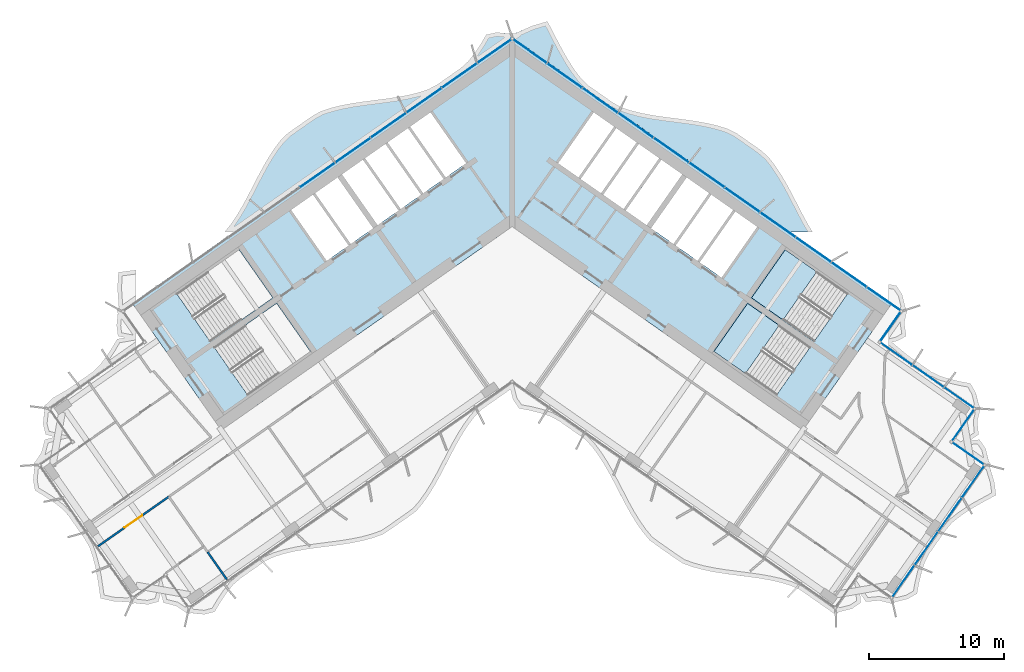
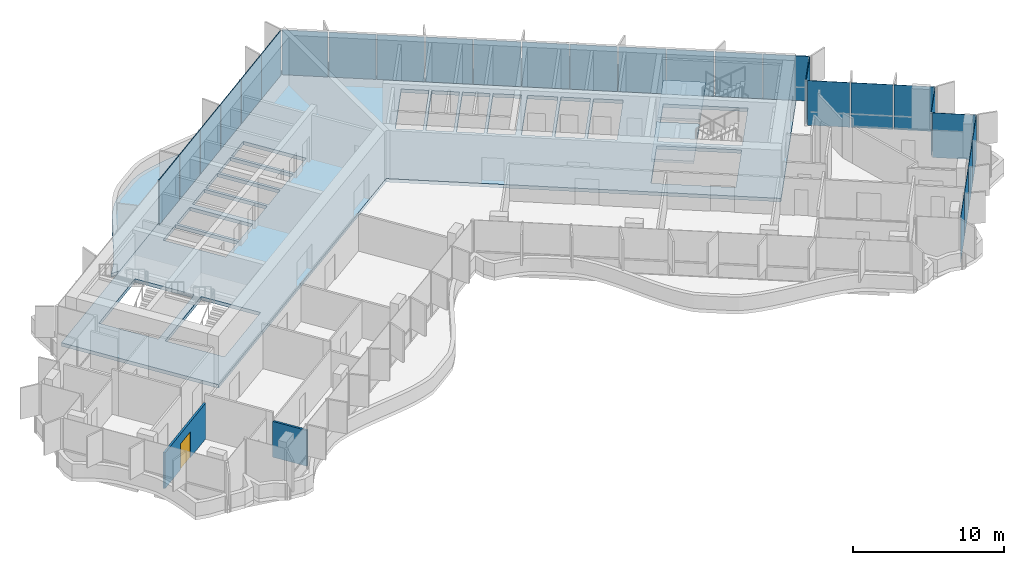
# One storey, part 11 of 21: 27 plates, 4 slabs, 2 walls, 1 door, 1 opening, 4 elements without a shape of their own.
"""IFC4 building model written with IfcOpenShell, lengths in metres."""

import ifcopenshell
import ifcopenshell.guid

model = None  # the IFC model being written
_history = None  # IfcOwnerHistory: only IFC2X3 demands one
_inside = {}  # id of a spatial element -> (the spatial element, [elements in it])
_under = {}  # id of a project, library or spatial element -> (it, [spatial elements below it])
_declared = {}  # id of a project -> (the project, [libraries it declares])
_typed = {}  # id of a type object -> (the type object, [elements of that type])
_made_of = {}  # id of a material, layer set ... -> (it, [elements and type objects made of it])


def new_model(schema):
    """Start an empty IFC model of exactly this schema.

    Asked for "IFC4X3", IfcOpenShell would pick the latest addendum, in which some entities
    have other attributes; the version numbers below select the first issue.
    IFC2X3 requires an IfcOwnerHistory on every rooted entity: one is made here for all.
    """
    global model, _history
    if schema == "IFC4X3":
        model = ifcopenshell.file(schema_version=(4, 3, 0, 0))
    else:
        model = ifcopenshell.file(schema=schema)
    _inside.clear()
    _under.clear()
    _declared.clear()
    _typed.clear()
    _made_of.clear()
    _history = None
    if model.schema == "IFC2X3":
        org = make("IfcOrganization", Name="unknown")
        user = make(
            "IfcPersonAndOrganization",
            ThePerson=make("IfcPerson", FamilyName="unknown"),
            TheOrganization=org,
        )
        app = make(
            "IfcApplication",
            ApplicationDeveloper=org,
            Version="unknown",
            ApplicationFullName="unknown",
            ApplicationIdentifier="unknown",
        )
        _history = make(
            "IfcOwnerHistory",
            OwningUser=user,
            OwningApplication=app,
            ChangeAction="ADDED",
            CreationDate=0,
        )
    return model


def make(cls, **values):
    """One entity of the class cls with the attributes given. An attribute that is None is left unset."""
    return model.create_entity(
        cls, **{name: value for name, value in values.items() if value is not None}
    )


def rooted(cls, **values):
    """An entity with a GlobalId (a new one), such as an element, a storey or a relation."""
    return make(cls, GlobalId=ifcopenshell.guid.new(), OwnerHistory=_history, **values)


def si_unit(unit_type, name, prefix=None):
    """IfcSIUnit, for example si_unit("LENGTHUNIT", "METRE", prefix="MILLI")."""
    return make("IfcSIUnit", UnitType=unit_type, Prefix=prefix, Name=name)


def assignment(units):
    """IfcUnitAssignment: the units of a project."""
    return None if units is None else make("IfcUnitAssignment", Units=units)


def point(xyz):
    """IfcCartesianPoint."""
    return None if xyz is None else make("IfcCartesianPoint", Coordinates=xyz)


def direction(xyz):
    """IfcDirection."""
    return None if xyz is None else make("IfcDirection", DirectionRatios=xyz)


def frame(location, z_axis=None, x_axis=None):
    """IfcAxis2Placement3D, a coordinate frame: its origin and axes. An axis left out is left unset."""
    return make(
        "IfcAxis2Placement3D",
        Location=point(location),
        Axis=direction(z_axis),
        RefDirection=direction(x_axis),
    )


def frame_2d(location, x_axis=None):
    """IfcAxis2Placement2D, a coordinate frame in the plane: its origin and x axis."""
    return make(
        "IfcAxis2Placement2D", Location=point(location), RefDirection=direction(x_axis)
    )


def origin():
    """The frame at (0, 0, 0) with its axes left unset."""
    return frame((0.0, 0.0, 0.0))


def origin_2d():
    """The frame at (0, 0) in the plane with its x axis left unset."""
    return frame_2d((0.0, 0.0))


def place(relative_to, where):
    """IfcLocalPlacement: puts the frame where relative to a parent placement (None: the world)."""
    return make(
        "IfcLocalPlacement", PlacementRelTo=relative_to, RelativePlacement=where
    )


def context(
    kind, dimensions, precision=None, world=None, true_north=None, identifier=None
):
    """IfcGeometricRepresentationContext, for example the 3D "Model" context."""
    return make(
        "IfcGeometricRepresentationContext",
        ContextIdentifier=identifier,
        ContextType=kind,
        CoordinateSpaceDimension=dimensions,
        Precision=precision,
        WorldCoordinateSystem=world,
        TrueNorth=true_north,
    )


def subcontext(parent, identifier, kind, view, scale=None):
    """IfcGeometricRepresentationSubContext, for example "Body" below "Model"."""
    return make(
        "IfcGeometricRepresentationSubContext",
        ContextIdentifier=identifier,
        ContextType=kind,
        ParentContext=parent,
        TargetScale=scale,
        TargetView=view,
    )


def project(units=None, contexts=None):
    """IfcProject with its units and contexts."""
    return rooted(
        "IfcProject",
        Name="project",
        RepresentationContexts=contexts,
        UnitsInContext=assignment(units),
    )


def spatial(cls, under=None, at=None, **own):
    """A site, building, storey or space (cls), placed at a placement, below another one or the project."""
    s = rooted(cls, ObjectPlacement=at, **own)
    if under is not None:
        _under.setdefault(under.id(), (under, []))[1].append(s)
    return s


def polyline(points):
    """IfcPolyline through the points."""
    return make("IfcPolyline", Points=[point(p) for p in points])


def profile(cls, at=None, kind="AREA", **sizes):
    """A parametric profile (cls). Its sizes go by their IFC names, for example OverallWidth=200.0."""
    return make(cls, ProfileType=kind, Position=at, **sizes)


def rectangle(**sizes):
    """IfcRectangleProfileDef."""
    return profile("IfcRectangleProfileDef", **sizes)


def outline(outer, holes=None, kind="AREA"):
    """IfcArbitraryClosedProfileDef: a profile drawn as a closed curve; with holes, ...WithVoids."""
    if holes is None:
        return make("IfcArbitraryClosedProfileDef", ProfileType=kind, OuterCurve=outer)
    return make(
        "IfcArbitraryProfileDefWithVoids",
        ProfileType=kind,
        OuterCurve=outer,
        InnerCurves=holes,
    )


def extrude(swept, where, along, depth):
    """IfcExtrudedAreaSolid: the profile swept, set in the frame where, extruded along a direction by depth."""
    return make(
        "IfcExtrudedAreaSolid",
        SweptArea=swept,
        Position=where,
        ExtrudedDirection=direction(along),
        Depth=depth,
    )


def shape(context_of_items, identifier, shape_type, items):
    """IfcShapeRepresentation: the items that make up one representation, for example the "Body"."""
    return make(
        "IfcShapeRepresentation",
        ContextOfItems=context_of_items,
        RepresentationIdentifier=identifier,
        RepresentationType=shape_type,
        Items=items,
    )


def material(Name=None, Category=None):
    """IfcMaterial."""
    return make("IfcMaterial", Name=Name, Category=Category)


def layer(
    of_material, thickness, ventilated=None, Name=None, Category=None, Priority=None
):
    """IfcMaterialLayer: one layer of a wall or slab, of a material (None: an air gap)."""
    return make(
        "IfcMaterialLayer",
        Material=of_material,
        LayerThickness=thickness,
        IsVentilated=ventilated,
        Name=Name,
        Category=Category,
        Priority=Priority,
    )


def layer_set(layers, Name=None):
    """IfcMaterialLayerSet."""
    return make("IfcMaterialLayerSet", MaterialLayers=layers, LayerSetName=Name)


def made_of(thing, what):
    """Note that an element or type object is made of a material, layer set ...; save() writes the relation."""
    if what is not None:
        _made_of.setdefault(what.id(), (what, []))[1].append(thing)
    return thing


def type_object(cls, material=None, **own):
    """A type object (cls), such as IfcWallType, which elements share."""
    return made_of(rooted(cls, **own), material)


def element(
    cls,
    number,
    at=None,
    inside=None,
    cuts=None,
    type_object=None,
    material=None,
    context=None,
    identifier="Body",
    shape_type=None,
    held_by="IfcProductDefinitionShape",
    body=None,
    shapes=None,
    **own,
):
    """One element of the class cls, such as IfcWall. Its Tag is "e" and its number.

    at: its placement. inside: the storey or other place that contains it. cuts: it is an
    opening in that element (IfcRelVoidsElement). A single representation is given by context,
    identifier, shape_type and body (its items); several are given by shapes. held_by: the class
    of the entity that holds the representations. save() writes the other relations.
    """
    e = rooted(cls, Tag="e%d" % number, ObjectPlacement=at, **own)
    if body is not None:
        shapes = [shape(context, identifier, shape_type, body)]
    if shapes is not None:
        e.Representation = make(held_by, Representations=shapes)
    if inside is not None:
        _inside.setdefault(inside.id(), (inside, []))[1].append(e)
    if cuts is not None:
        rooted(
            "IfcRelVoidsElement", RelatingBuildingElement=cuts, RelatedOpeningElement=e
        )
    if type_object is not None:
        _typed.setdefault(type_object.id(), (type_object, []))[1].append(e)
    return made_of(e, material)


def fill(opening, filler):
    """IfcRelFillsElement: the door or window that sits in an opening."""
    return rooted(
        "IfcRelFillsElement",
        RelatingOpeningElement=opening,
        RelatedBuildingElement=filler,
    )


def aggregate(whole, parts):
    """IfcRelAggregates: a whole, such as a stair, and the parts it consists of."""
    return rooted("IfcRelAggregates", RelatingObject=whole, RelatedObjects=parts)


def save(model, path):
    """Write the relations noted so far, then the file.

    IfcRelAggregates (storeys below a building ...), IfcRelContainedInSpatialStructure (elements
    in a storey), IfcRelDefinesByType, IfcRelAssociatesMaterial and IfcRelDeclares: one each for
    every whole, place, type object, material and project.
    """
    for whole, parts in _under.values():
        aggregate(whole, parts)
    for where, things in _inside.values():
        rooted(
            "IfcRelContainedInSpatialStructure",
            RelatedElements=things,
            RelatingStructure=where,
        )
    for kind, things in _typed.values():
        rooted("IfcRelDefinesByType", RelatedObjects=things, RelatingType=kind)
    for what, things in _made_of.values():
        rooted("IfcRelAssociatesMaterial", RelatedObjects=things, RelatingMaterial=what)
    for by, libraries in _declared.values():
        rooted("IfcRelDeclares", RelatingContext=by, RelatedDefinitions=libraries)
    model.write(path)


model = new_model("IFC4")

# Units and contexts
model_context = context("Model", 3, precision=1e-05, world=origin(), true_north=direction((0.0, 1.0)))
body_context = subcontext(model_context, "Body", "Model", "MODEL_VIEW")
ifc_project = project(units=[si_unit("LENGTHUNIT", "METRE"), si_unit("AREAUNIT", "SQUARE_METRE"), si_unit("VOLUMEUNIT", "CUBIC_METRE"), si_unit("PLANEANGLEUNIT", "RADIAN"), si_unit("MASSUNIT", "GRAM", prefix="KILO")], contexts=[model_context])

# Site, building, storey
site_placement = place(None, origin())
site = spatial("IfcSite", under=ifc_project, at=site_placement, CompositionType="ELEMENT")
building_placement = place(site_placement, origin())
building = spatial("IfcBuilding", under=site, at=building_placement, Name="Tel Ilan Convention Tower", CompositionType="ELEMENT")
storey_placement = place(building_placement, frame((0.0, 0.0, 210.0)))
storey = spatial("IfcBuildingStorey", under=building, at=storey_placement, Name="L49", CompositionType="ELEMENT", Elevation=210.0)

# Curtain wall, plates
ifc_material_1 = material(Name="Aluminium, bronze anodised", Category="aluminium")
curtain_wall_type_1 = type_object("IfcCurtainWallType", Name="CW4 STICK CURTAIN WALL, OFFICE TINTED GLASS", PredefinedType="NOTDEFINED", material=ifc_material_1)
curtain_wall_1_placement = place(storey_placement, origin())
curtain_wall_1 = element("IfcCurtainWall", 1, at=curtain_wall_1_placement, inside=storey, type_object=curtain_wall_type_1, Name="Curtain wall CW4-38.02", PredefinedType="NOTDEFINED")
ifc_material_2 = material(Name="Glass, bronze tinted, two-ply", Category="glass")
ifc_layer_1 = layer(ifc_material_2, 0.028076171875)
ifc_layer_set_1 = layer_set([ifc_layer_1], Name="CW GLASS PANEL 28")
plate_type_1 = type_object("IfcPlateType", Name="CW GLASS PANEL 28", PredefinedType="CURTAIN_PANEL", material=ifc_layer_set_1)
plate_1_placement = place(storey_placement, frame((28.956298828125, -27.51220703125, 0.0), z_axis=(0.0, 0.0, 1.0), x_axis=(0.573576436351, 0.819152044289, 0.0)))
plate_1 = element("IfcPlate", 2, at=plate_1_placement, type_object=plate_type_1, Name="Glass panel", PredefinedType="CURTAIN_PANEL", context=body_context, shape_type="SweptSolid", body=[
    extrude(rectangle(XDim=2.89599609375, YDim=0.028076171875, at=origin_2d()), origin(), (0.0, 0.0, 1.0), 3.6201171875),
])
plate_2_placement = place(storey_placement, frame((30.6787109375, -25.05224609375, 0.0), z_axis=(0.0, 0.0, 1.0), x_axis=(0.573576436351, 0.819152044289, 0.0)))
plate_2 = element("IfcPlate", 3, at=plate_2_placement, type_object=plate_type_1, Name="Glass panel", PredefinedType="CURTAIN_PANEL", context=body_context, shape_type="SweptSolid", body=[
    extrude(rectangle(XDim=2.989990234375, YDim=0.028076171875, at=origin_2d()), origin(), (0.0, 0.0, 1.0), 3.6201171875),
])
plate_3_placement = place(storey_placement, frame((32.42822265625, -22.553955078125, 0.0), z_axis=(0.0, 0.0, 1.0), x_axis=(0.573576436351, 0.819152044289, 0.0)))
plate_3 = element("IfcPlate", 4, at=plate_3_placement, type_object=plate_type_1, Name="Glass panel", PredefinedType="CURTAIN_PANEL", context=body_context, shape_type="SweptSolid", body=[
    extrude(rectangle(XDim=2.989990234375, YDim=0.028076171875, at=origin_2d()), origin(), (0.0, 0.0, 1.0), 3.6201171875),
])
plate_4_placement = place(storey_placement, frame((34.150634765625, -20.093994140625, 0.0), z_axis=(0.0, 0.0, 1.0), x_axis=(0.573576436351, 0.819152044289, 0.0)))
plate_4 = element("IfcPlate", 5, at=plate_4_placement, type_object=plate_type_1, Name="Glass panel", PredefinedType="CURTAIN_PANEL", context=body_context, shape_type="SweptSolid", body=[
    extrude(rectangle(XDim=2.89599609375, YDim=0.028076171875, at=origin_2d()), origin(), (0.0, 0.0, 1.0), 3.6201171875),
])
plate_5_placement = place(storey_placement, frame((33.7978515625, -18.0498046875, 0.0), z_axis=(0.0, 0.0, 1.0), x_axis=(-0.819152044289, 0.573576436351, 0.0)))
plate_5 = element("IfcPlate", 6, at=plate_5_placement, type_object=plate_type_1, Name="Glass panel", PredefinedType="CURTAIN_PANEL", context=body_context, shape_type="SweptSolid", body=[
    extrude(rectangle(XDim=2.875, YDim=0.028076171875, at=origin_2d()), origin(), (0.0, 0.0, 1.0), 3.6201171875),
])
plate_6_placement = place(storey_placement, frame((33.419921875, -15.9072265625, 0.0), z_axis=(0.0, 0.0, 1.0), x_axis=(0.573576436351, 0.819152044289, 0.0)))
plate_6 = element("IfcPlate", 7, at=plate_6_placement, type_object=plate_type_1, Name="Glass panel", PredefinedType="CURTAIN_PANEL", context=body_context, shape_type="SweptSolid", body=[
    extrude(rectangle(XDim=2.875, YDim=0.028076171875, at=origin_2d()), origin(), (0.0, 0.0, 1.0), 3.6201171875),
])
plate_7_placement = place(storey_placement, frame((33.12744140625, -13.918212890625, 0.0), z_axis=(0.0, 0.0, 1.0), x_axis=(-0.819152044289, 0.573576436351, 0.0)))
plate_7 = element("IfcPlate", 8, at=plate_7_placement, type_object=plate_type_1, Name="Glass panel", PredefinedType="CURTAIN_PANEL", context=body_context, shape_type="SweptSolid", body=[
    extrude(rectangle(XDim=2.712646484375, YDim=0.028076171875, at=origin_2d()), origin(), (0.0, 0.0, 1.0), 3.6201171875),
])
plate_8_placement = place(storey_placement, frame((30.81787109375, -12.301025390625, 0.0), z_axis=(0.0, 0.0, 1.0), x_axis=(-0.819152044289, 0.573576436351, 0.0)))
plate_8 = element("IfcPlate", 9, at=plate_8_placement, type_object=plate_type_1, Name="Glass panel", PredefinedType="CURTAIN_PANEL", context=body_context, shape_type="SweptSolid", body=[
    extrude(rectangle(XDim=2.806640625, YDim=0.028076171875, at=origin_2d()), origin(), (0.0, 0.0, 1.0), 3.6201171875),
])
plate_9_placement = place(storey_placement, frame((28.457763671875, -10.6484375, 0.0), z_axis=(0.0, 0.0, 1.0), x_axis=(-0.819152044289, 0.573576436351, 0.0)))
plate_9 = element("IfcPlate", 10, at=plate_9_placement, type_object=plate_type_1, Name="Glass panel", PredefinedType="CURTAIN_PANEL", context=body_context, shape_type="SweptSolid", body=[
    extrude(rectangle(XDim=2.835693359375, YDim=0.028076171875, at=origin_2d()), origin(), (0.0, 0.0, 1.0), 3.6201171875),
])
aggregate(curtain_wall_1, [plate_1, plate_2, plate_3, plate_4, plate_5, plate_6, plate_7, plate_8, plate_9])

ifc_material_3 = material(Name="Aluminium, bronze anodised", Category="aluminium")
curtain_wall_type_2 = type_object("IfcCurtainWallType", Name="CW2 STICK CURTAIN WALL, SPANDREL PANELS", PredefinedType="NOTDEFINED", material=ifc_material_3)
curtain_wall_2_placement = place(storey_placement, origin())
curtain_wall_2 = element("IfcCurtainWall", 11, at=curtain_wall_2_placement, inside=storey, type_object=curtain_wall_type_2, Name="Curtain wall CW2-38.01", PredefinedType="NOTDEFINED")
ifc_material_4 = material(Name="Aluminium composite panel, bronze anodised", Category="aluminium")
ifc_layer_2 = layer(ifc_material_4, 0.06005859375)
ifc_layer_set_2 = layer_set([ifc_layer_2], Name="CW SPANDREL PANEL 60")
plate_type_2 = type_object("IfcPlateType", Name="CW SPANDREL PANEL 60", PredefinedType="CURTAIN_PANEL", material=ifc_layer_set_2)
plate_10_placement = place(storey_placement, frame((28.033935546875, -8.60546875, 0.0), z_axis=(0.0, 0.0, 1.0), x_axis=(0.573576436351, 0.819152044289, 0.0)))
plate_10 = element("IfcPlate", 12, at=plate_10_placement, type_object=plate_type_2, Name="Spandrel panel", PredefinedType="CURTAIN_PANEL", context=body_context, shape_type="SweptSolid", body=[
    extrude(rectangle(XDim=2.658935546875, YDim=0.06005859375, at=origin_2d()), origin(), (0.0, 0.0, 1.0), 3.6201171875),
])
plate_11_placement = place(storey_placement, frame((27.5400390625, -6.587646484375, 0.0), z_axis=(0.0, 0.0, 1.0), x_axis=(-0.819152044289, 0.573576436351, 0.0)))
plate_11 = element("IfcPlate", 13, at=plate_11_placement, type_object=plate_type_2, Name="Spandrel panel", PredefinedType="CURTAIN_PANEL", context=body_context, shape_type="SweptSolid", body=[
    extrude(rectangle(XDim=3.0439453125, YDim=0.06005859375, at=origin_2d()), origin(), (0.0, 0.0, 1.0), 3.6201171875),
])
plate_12_placement = place(storey_placement, frame((24.95263671875, -4.77587890625, 0.0), z_axis=(0.0, 0.0, 1.0), x_axis=(-0.819152044289, 0.573576436351, 0.0)))
plate_12 = element("IfcPlate", 14, at=plate_12_placement, type_object=plate_type_2, Name="Spandrel panel", PredefinedType="CURTAIN_PANEL", context=body_context, shape_type="SweptSolid", body=[
    extrude(rectangle(XDim=3.15380859375, YDim=0.06005859375, at=origin_2d()), origin(), (0.0, 0.0, 1.0), 3.6201171875),
])
plate_13_placement = place(storey_placement, frame((22.31982421875, -2.9326171875, 0.0), z_axis=(0.0, 0.0, 1.0), x_axis=(-0.819152044289, 0.573576436351, 0.0)))
plate_13 = element("IfcPlate", 15, at=plate_13_placement, type_object=plate_type_2, Name="Spandrel panel", PredefinedType="CURTAIN_PANEL", context=body_context, shape_type="SweptSolid", body=[
    extrude(rectangle(XDim=3.15380859375, YDim=0.06005859375, at=origin_2d()), origin(), (0.0, 0.0, 1.0), 3.6201171875),
])
plate_14_placement = place(storey_placement, frame((19.687255859375, -1.089111328125, 0.0), z_axis=(0.0, 0.0, 1.0), x_axis=(-0.819152044289, 0.573576436351, 0.0)))
plate_14 = element("IfcPlate", 16, at=plate_14_placement, type_object=plate_type_2, Name="Spandrel panel", PredefinedType="CURTAIN_PANEL", context=body_context, shape_type="SweptSolid", body=[
    extrude(rectangle(XDim=3.15380859375, YDim=0.06005859375, at=origin_2d()), origin(), (0.0, 0.0, 1.0), 3.6201171875),
])
plate_15_placement = place(storey_placement, frame((17.0546875, 0.754150390625, 0.0), z_axis=(0.0, 0.0, 1.0), x_axis=(-0.819152044289, 0.573576436351, 0.0)))
plate_15 = element("IfcPlate", 17, at=plate_15_placement, type_object=plate_type_2, Name="Spandrel panel", PredefinedType="CURTAIN_PANEL", context=body_context, shape_type="SweptSolid", body=[
    extrude(rectangle(XDim=3.15380859375, YDim=0.06005859375, at=origin_2d()), origin(), (0.0, 0.0, 1.0), 3.6201171875),
])
plate_16_placement = place(storey_placement, frame((14.422119140625, 2.59765625, 0.0), z_axis=(0.0, 0.0, 1.0), x_axis=(-0.819152044289, 0.573576436351, 0.0)))
plate_16 = element("IfcPlate", 18, at=plate_16_placement, type_object=plate_type_2, Name="Spandrel panel", PredefinedType="CURTAIN_PANEL", context=body_context, shape_type="SweptSolid", body=[
    extrude(rectangle(XDim=3.15380859375, YDim=0.06005859375, at=origin_2d()), origin(), (0.0, 0.0, 1.0), 3.6201171875),
])
plate_17_placement = place(storey_placement, frame((11.789306640625, 4.44091796875, 0.0), z_axis=(0.0, 0.0, 1.0), x_axis=(-0.819152044289, 0.573576436351, 0.0)))
plate_17 = element("IfcPlate", 19, at=plate_17_placement, type_object=plate_type_2, Name="Spandrel panel", PredefinedType="CURTAIN_PANEL", context=body_context, shape_type="SweptSolid", body=[
    extrude(rectangle(XDim=3.15380859375, YDim=0.06005859375, at=origin_2d()), origin(), (0.0, 0.0, 1.0), 3.6201171875),
])
plate_18_placement = place(storey_placement, frame((9.15673828125, 6.284423828125, 0.0), z_axis=(0.0, 0.0, 1.0), x_axis=(-0.819152044289, 0.573576436351, 0.0)))
plate_18 = element("IfcPlate", 20, at=plate_18_placement, type_object=plate_type_2, Name="Spandrel panel", PredefinedType="CURTAIN_PANEL", context=body_context, shape_type="SweptSolid", body=[
    extrude(rectangle(XDim=3.15380859375, YDim=0.06005859375, at=origin_2d()), origin(), (0.0, 0.0, 1.0), 3.6201171875),
])
plate_19_placement = place(storey_placement, frame((6.524169921875, 8.127685546875, 0.0), z_axis=(0.0, 0.0, 1.0), x_axis=(-0.819152044289, 0.573576436351, 0.0)))
plate_19 = element("IfcPlate", 21, at=plate_19_placement, type_object=plate_type_2, Name="Spandrel panel", PredefinedType="CURTAIN_PANEL", context=body_context, shape_type="SweptSolid", body=[
    extrude(rectangle(XDim=3.15380859375, YDim=0.06005859375, at=origin_2d()), origin(), (0.0, 0.0, 1.0), 3.6201171875),
])
plate_20_placement = place(storey_placement, frame((3.8916015625, 9.97119140625, 0.0), z_axis=(0.0, 0.0, 1.0), x_axis=(-0.819152044289, 0.573576436351, 0.0)))
plate_20 = element("IfcPlate", 22, at=plate_20_placement, type_object=plate_type_2, Name="Spandrel panel", PredefinedType="CURTAIN_PANEL", context=body_context, shape_type="SweptSolid", body=[
    extrude(rectangle(XDim=3.15380859375, YDim=0.06005859375, at=origin_2d()), origin(), (0.0, 0.0, 1.0), 3.6201171875),
])
plate_21_placement = place(storey_placement, frame((1.303955078125, 11.782958984375, 0.0), z_axis=(0.0, 0.0, 1.0), x_axis=(-0.819152044289, 0.573576436351, 0.0)))
plate_21 = element("IfcPlate", 23, at=plate_21_placement, type_object=plate_type_2, Name="Spandrel panel", PredefinedType="CURTAIN_PANEL", context=body_context, shape_type="SweptSolid", body=[
    extrude(rectangle(XDim=3.0439453125, YDim=0.06005859375, at=origin_2d()), origin(), (0.0, 0.0, 1.0), 3.6201171875),
])
plate_22_placement = place(storey_placement, frame((-1.303955078125, 11.782958984375, 0.0), z_axis=(0.0, 0.0, 1.0), x_axis=(-0.819152044289, -0.573576436351, 0.0)))
plate_22 = element("IfcPlate", 24, at=plate_22_placement, type_object=plate_type_2, Name="Spandrel panel", PredefinedType="CURTAIN_PANEL", context=body_context, shape_type="SweptSolid", body=[
    extrude(rectangle(XDim=3.0439453125, YDim=0.06005859375, at=origin_2d()), origin(), (0.0, 0.0, 1.0), 3.6201171875),
])
plate_23_placement = place(storey_placement, frame((-3.8916015625, 9.97119140625, 0.0), z_axis=(0.0, 0.0, 1.0), x_axis=(-0.819152044289, -0.573576436351, 0.0)))
plate_23 = element("IfcPlate", 25, at=plate_23_placement, type_object=plate_type_2, Name="Spandrel panel", PredefinedType="CURTAIN_PANEL", context=body_context, shape_type="SweptSolid", body=[
    extrude(rectangle(XDim=3.15380859375, YDim=0.06005859375, at=origin_2d()), origin(), (0.0, 0.0, 1.0), 3.6201171875),
])
plate_24_placement = place(storey_placement, frame((-6.524169921875, 8.127685546875, 0.0), z_axis=(0.0, 0.0, 1.0), x_axis=(-0.819152044289, -0.573576436351, 0.0)))
plate_24 = element("IfcPlate", 26, at=plate_24_placement, type_object=plate_type_2, Name="Spandrel panel", PredefinedType="CURTAIN_PANEL", context=body_context, shape_type="SweptSolid", body=[
    extrude(rectangle(XDim=3.15380859375, YDim=0.06005859375, at=origin_2d()), origin(), (0.0, 0.0, 1.0), 3.6201171875),
])
plate_25_placement = place(storey_placement, frame((-9.15673828125, 6.284423828125, 0.0), z_axis=(0.0, 0.0, 1.0), x_axis=(-0.819152044289, -0.573576436351, 0.0)))
plate_25 = element("IfcPlate", 27, at=plate_25_placement, type_object=plate_type_2, Name="Spandrel panel", PredefinedType="CURTAIN_PANEL", context=body_context, shape_type="SweptSolid", body=[
    extrude(rectangle(XDim=3.15380859375, YDim=0.06005859375, at=origin_2d()), origin(), (0.0, 0.0, 1.0), 3.6201171875),
])
plate_26_placement = place(storey_placement, frame((-11.789306640625, 4.44091796875, 0.0), z_axis=(0.0, 0.0, 1.0), x_axis=(-0.819152044289, -0.573576436351, 0.0)))
plate_26 = element("IfcPlate", 28, at=plate_26_placement, type_object=plate_type_2, Name="Spandrel panel", PredefinedType="CURTAIN_PANEL", context=body_context, shape_type="SweptSolid", body=[
    extrude(rectangle(XDim=3.15380859375, YDim=0.06005859375, at=origin_2d()), origin(), (0.0, 0.0, 1.0), 3.6201171875),
])
plate_27_placement = place(storey_placement, frame((-14.422119140625, 2.59765625, 0.0), z_axis=(0.0, 0.0, 1.0), x_axis=(-0.819152044289, -0.573576436351, 0.0)))
plate_27 = element("IfcPlate", 29, at=plate_27_placement, type_object=plate_type_2, Name="Spandrel panel", PredefinedType="CURTAIN_PANEL", context=body_context, shape_type="SweptSolid", body=[
    extrude(rectangle(XDim=3.15380859375, YDim=0.06005859375, at=origin_2d()), origin(), (0.0, 0.0, 1.0), 3.6201171875),
])
aggregate(curtain_wall_2, [plate_10, plate_11, plate_12, plate_13, plate_14, plate_15, plate_16, plate_17, plate_18, plate_19, plate_20, plate_21, plate_22, plate_23, plate_24, plate_25, plate_26, plate_27])

# Stair, slab
ifc_material_5 = material(Name="Concrete C40/50", Category="concrete")
stair_type = type_object("IfcStairType", Name="Pressurised Exit Stair 22 risers 177 mm", PredefinedType="HALF_TURN_STAIR", material=ifc_material_5)
stair_1_placement = place(storey_placement, origin())
stair_1 = element("IfcStair", 30, at=stair_1_placement, inside=storey, type_object=stair_type, Name="L49 Pressurised Stair S3", PredefinedType="HALF_TURN_STAIR")
ifc_material_6 = material(Name="Concrete C40/50", Category="concrete")
ifc_layer_3 = layer(ifc_material_6, 0.199951171875)
ifc_layer_set_3 = layer_set([ifc_layer_3], Name="Concrete Stair Landing 200 mm C40/50")
slab_type_1 = type_object("IfcSlabType", Name="Concrete Stair Landing 200 mm", PredefinedType="LANDING", material=ifc_layer_set_3)
slab_1_placement = place(storey_placement, frame((0.0, 0.0, 1.75)))
slab_1 = element("IfcSlab", 31, at=slab_1_placement, type_object=slab_type_1, Name="S3 landing 1", PredefinedType="LANDING", context=body_context, shape_type="SweptSolid", body=[
    extrude(outline(polyline([(22.561767578125, -4.566650390625), (20.226318359375, -2.931640625), (17.7314453125, -6.494873046875), (20.066650390625, -8.130126953125), (22.561767578125, -4.566650390625)])), origin(), (0.0, 0.0, 1.0), 0.199951171875),
])
aggregate(stair_1, [slab_1])

stair_2_placement = place(storey_placement, origin())
stair_2 = element("IfcStair", 32, at=stair_2_placement, inside=storey, type_object=stair_type, Name="L49 Pressurised Stair S4", PredefinedType="HALF_TURN_STAIR")
slab_2_placement = place(storey_placement, frame((0.0, 0.0, 1.75)))
slab_2 = element("IfcSlab", 33, at=slab_2_placement, type_object=slab_type_1, Name="S4 landing 1", PredefinedType="LANDING", context=body_context, shape_type="SweptSolid", body=[
    extrude(outline(polyline([(19.77978515625, -8.53955078125), (17.444580078125, -6.904541015625), (14.949462890625, -10.4677734375), (17.28466796875, -12.10302734375), (19.77978515625, -8.53955078125)])), origin(), (0.0, 0.0, 1.0), 0.199951171875),
])
aggregate(stair_2, [slab_2])

# Slabs
ifc_material_7 = material(Name="Concrete C40/50", Category="concrete")
ifc_layer_4 = layer(ifc_material_7, 0.280029296875)
ifc_layer_set_4 = layer_set([ifc_layer_4], Name="Core Floor Slab 280 mm C40/50")
slab_type_2 = type_object("IfcSlabType", Name="Core Floor Slab 280 mm C40/50", PredefinedType="FLOOR", material=ifc_layer_set_4)
slab_3_placement = place(storey_placement, frame((0.0, 0.0, -0.280029296875)))
element("IfcSlab", 34, at=slab_3_placement, inside=storey, type_object=slab_type_2, Name="L49 core floor 1", PredefinedType="FLOOR", context=body_context, shape_type="SweptSolid", body=[
    extrude(outline(polyline([(0.0, 12.818115234375), (28.1396484375, -6.885498046875), (21.54345703125, -16.3056640625), (0.0, -1.220703125), (-21.54345703125, -16.3056640625), (-28.1396484375, -6.885498046875), (-13.013916015625, 3.705810546875), (-6.48876953125, 8.274658203125), (-4.6650390625, 9.5517578125), (-0.2412109375, 12.6494140625), (0.0, 12.818115234375)]), holes=[polyline([(-14.949462890625, -10.4677734375), (-17.444580078125, -6.904541015625), (-22.072021484375, -10.144775390625), (-19.5771484375, -13.7080078125), (-14.949462890625, -10.4677734375)]), polyline([(-17.7314453125, -6.494873046875), (-20.226318359375, -2.931640625), (-24.85400390625, -6.171875), (-22.35888671875, -9.735107421875), (-17.7314453125, -6.494873046875)]), polyline([(-14.75048828125, 1.14697265625), (-16.368408203125, 0.01416015625), (-13.729736328125, -3.75390625), (-12.112060546875, -2.62109375), (-14.75048828125, 1.14697265625)]), polyline([(-12.927734375, 2.423095703125), (-14.586669921875, 1.26171875), (-11.947998046875, -2.506591796875), (-10.289306640625, -1.344970703125), (-12.927734375, 2.423095703125)]), polyline([(-11.053955078125, 3.735107421875), (-12.60009765625, 2.652587890625), (-9.961669921875, -1.115478515625), (-8.41552734375, -0.032958984375), (-11.053955078125, 3.735107421875)]), polyline([(-9.385009765625, 4.90380859375), (-10.89013671875, 3.849853515625), (-8.251708984375, 0.081787109375), (-6.74658203125, 1.1357421875), (-9.385009765625, 4.90380859375)]), polyline([(-7.716064453125, 6.072509765625), (-9.22119140625, 5.0185546875), (-6.582763671875, 1.25048828125), (-5.077392578125, 2.304443359375), (-7.716064453125, 6.072509765625)]), polyline([(-6.046875, 7.2412109375), (-7.552001953125, 6.187255859375), (-4.913818359375, 2.419189453125), (-3.408447265625, 3.47314453125), (-6.046875, 7.2412109375)]), polyline([(4.913818359375, 2.419189453125), (7.552001953125, 6.187255859375), (6.046875, 7.2412109375), (3.408447265625, 3.47314453125), (4.913818359375, 2.419189453125)]), polyline([(17.444580078125, -6.904541015625), (14.949462890625, -10.4677734375), (19.5771484375, -13.7080078125), (22.072021484375, -10.144775390625), (17.444580078125, -6.904541015625)]), polyline([(20.226318359375, -2.931640625), (17.7314453125, -6.494873046875), (22.35888671875, -9.735107421875), (24.85400390625, -6.171875), (20.226318359375, -2.931640625)]), polyline([(15.511474609375, -5.00146484375), (18.14990234375, -1.2333984375), (16.531982421875, -0.1005859375), (13.8935546875, -3.86865234375), (15.511474609375, -5.00146484375)]), polyline([(13.729736328125, -3.75390625), (16.368408203125, 0.01416015625), (14.75048828125, 1.14697265625), (12.112060546875, -2.62109375), (13.729736328125, -3.75390625)]), polyline([(11.947998046875, -2.506591796875), (14.586669921875, 1.26171875), (12.927734375, 2.423095703125), (10.289306640625, -1.344970703125), (11.947998046875, -2.506591796875)]), polyline([(9.961669921875, -1.115478515625), (12.60009765625, 2.652587890625), (11.053955078125, 3.735107421875), (8.41552734375, -0.032958984375), (9.961669921875, -1.115478515625)]), polyline([(6.74658203125, 1.1357421875), (8.251708984375, 0.081787109375), (10.89013671875, 3.849853515625), (9.385009765625, 4.90380859375), (6.74658203125, 1.1357421875)]), polyline([(5.077392578125, 2.304443359375), (6.582763671875, 1.25048828125), (9.22119140625, 5.0185546875), (7.716064453125, 6.072509765625), (5.077392578125, 2.304443359375)])]), origin(), (0.0, 0.0, 1.0), 0.280029296875),
])
ifc_material_8 = material(Name="Concrete C40/50", Category="concrete")
ifc_layer_5 = layer(ifc_material_8, 0.280029296875)
ifc_layer_set_5 = layer_set([ifc_layer_5], Name="Edge Ledge Slab 280 mm C40/50")
slab_type_3 = type_object("IfcSlabType", Name="Edge Ledge Slab 280 mm C40/50", PredefinedType="FLOOR", material=ifc_layer_set_5)
slab_4_placement = place(storey_placement, frame((0.0, 0.0, -0.280029296875)))
element("IfcSlab", 35, at=slab_4_placement, inside=storey, type_object=slab_type_3, Name="L49 edge ledge 2", PredefinedType="FLOOR", context=body_context, shape_type="SweptSolid", body=[
    extrude(outline(polyline([(-19.60009765625, 1.004150390625), (-19.217529296875, 1.741943359375), (-18.83642578125, 2.481689453125), (-18.44677734375, 3.209228515625), (-18.0390625, 3.910888671875), (-17.604736328125, 4.574951171875), (-17.13671875, 5.190185546875), (-16.6015625, 5.71044921875), (-14.791748046875, 6.977783203125), (-14.1416015625, 7.33349609375), (-13.41064453125, 7.573486328125), (-12.644287109375, 7.76318359375), (-11.849853515625, 7.91259765625), (-11.03564453125, 8.033935546875), (-10.211181640625, 8.140380859375), (-9.385986328125, 8.24609375), (-8.570068359375, 8.36474609375), (-7.7724609375, 8.509765625), (-7.002197265625, 8.693603515625), (-6.26611328125, 8.926513671875), (-5.601806640625, 9.261962890625), (-3.7919921875, 10.529296875), (-3.2421875, 11.0283203125), (-2.769287109375, 11.63671875), (-2.3310546875, 12.294921875), (-1.919921875, 12.991943359375), (-1.14208984375, 13.1650390625), (-0.172119140625, 13.06396484375), (-0.168701171875, 13.05908203125), (-0.11474609375, 13.09521484375), (0.0, 13.1181640625), (0.11474609375, 13.09521484375), (0.168701171875, 13.05908203125), (0.172119140625, 13.06396484375), (1.4794921875, 13.647216796875), (2.6162109375, 13.986328125), (3.000244140625, 13.250732421875), (3.38134765625, 12.510986328125), (3.770263671875, 11.7822265625), (4.176513671875, 11.078369140625), (4.608642578125, 10.41162109375), (5.074462890625, 9.792724609375), (5.601806640625, 9.261962890625), (7.411865234375, 7.99462890625), (8.054931640625, 7.62890625), (8.783447265625, 7.385498046875), (9.547607421875, 7.19287109375), (10.340576171875, 7.041015625), (11.15380859375, 6.91845703125), (11.977783203125, 6.811279296875), (12.80322265625, 6.7060546875), (13.6201171875, 6.588623046875), (14.419189453125, 6.44580078125), (15.191650390625, 6.2646484375), (15.929931640625, 6.03515625), (16.6015625, 5.71044921875), (18.41162109375, 4.443115234375), (18.96826171875, 3.9541015625), (19.44384765625, 3.34912109375), (19.884033203125, 2.69384765625), (20.296142578125, 1.998291015625), (20.688720703125, 1.27490234375), (21.07080078125, 0.53662109375), (21.4521484375, -0.202880859375), (21.8427734375, -0.928955078125), (22.25341796875, -1.631591796875), (20.63623046875, -1.631591796875), (0.0, 12.818115234375), (-20.63623046875, -1.631591796875), (-21.30126953125, -1.631591796875), (-20.849609375, -1.0634765625), (-20.4072265625, -0.4111328125), (-19.993408203125, 0.281982421875), (-19.60009765625, 1.004150390625)])), origin(), (0.0, 0.0, 1.0), 0.280029296875),
])

# Wall, opening, door
ifc_material_9 = material(Name="Plasterboard on Steel Studs", Category="steel")
ifc_layer_6 = layer(ifc_material_9, 0.14990234375)
ifc_layer_set_6 = layer_set([ifc_layer_6], Name="Fire-rated Partition 150 EI 60")
wall_type = type_object("IfcWallType", Name="Fire-rated Partition 150 EI 60", PredefinedType="PARTITIONING", material=ifc_layer_set_6)
wall_1_placement = place(storey_placement, frame((-25.42431640625, -21.220458984375, 0.0), z_axis=(0.0, 0.0, 1.0), x_axis=(-0.819154877477, -0.573572390118, 0.0)))
wall_1 = element("IfcWall", 36, at=wall_1_placement, inside=storey, type_object=wall_type, Name="Partition 013", PredefinedType="PARTITIONING", context=body_context, shape_type="SweptSolid", body=[
    extrude(rectangle(XDim=6.402099609375, YDim=0.14990234375, at=frame_2d((3.201171875, 0.0))), origin(), (0.0, 0.0, 1.0), 2.89990234375),
])
opening_placement = place(wall_1_placement, frame((2.40087890625, 0.0, 0.0)))
opening = element("IfcOpeningElement", 37, at=opening_placement, cuts=wall_1, Name="Opening L48-006", PredefinedType="OPENING", context=body_context, shape_type="SweptSolid", body=[
    extrude(rectangle(XDim=1.60009765625, YDim=2.10009765625, at=frame_2d((0.800048828125, 1.050048828125))), frame((0.0, 0.0849609375, 0.0), z_axis=(0.0, -1.0, 0.0), x_axis=(1.0, 0.0, 0.0)), (0.0, 0.0, 1.0), 0.169921875),
])
ifc_material_10 = material(Name="Timber Door Leaf in Steel Frame", Category="steel")
door_type = type_object("IfcDoorType", Name="Tenant Suite Entrance Fire Door 1600x2100", OperationType="NOTDEFINED", PredefinedType="DOOR", material=ifc_material_10)
door_placement = place(opening_placement, origin())
door = element("IfcDoor", 38, at=door_placement, inside=storey, type_object=door_type, Name="Door L48-006", OperationType="DOUBLE_DOOR_SINGLE_SWING", OverallHeight=2.10009765625, OverallWidth=1.60009765625, PredefinedType="DOOR", context=body_context, shape_type="SweptSolid", body=[
    extrude(rectangle(XDim=1.60009765625, YDim=2.10009765625, at=frame_2d((0.800048828125, 1.050048828125))), frame((0.0, 0.02490234375, 0.0), z_axis=(0.0, -1.0, 0.0), x_axis=(1.0, 0.0, 0.0)), (0.0, 0.0, 1.0), 0.050048828125),
])
fill(opening, door)

# Wall
wall_2_placement = place(storey_placement, frame((-21.124267578125, -27.365234375, 0.0), z_axis=(0.0, 0.0, 1.0), x_axis=(-0.573560689761, 0.819163069945, 0.0)))
element("IfcWall", 39, at=wall_2_placement, inside=storey, type_object=wall_type, Name="Partition 049", PredefinedType="PARTITIONING", context=body_context, shape_type="SweptSolid", body=[
    extrude(rectangle(XDim=2.4990234375, YDim=0.14990234375, at=frame_2d((1.24951171875, 0.0))), origin(), (0.0, 0.0, 1.0), 2.89990234375),
])

save(model, "model.ifc")
